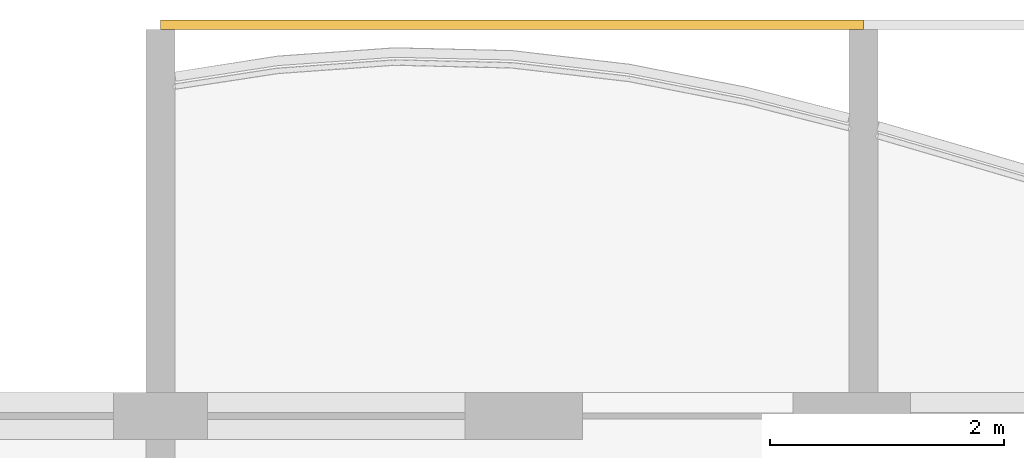
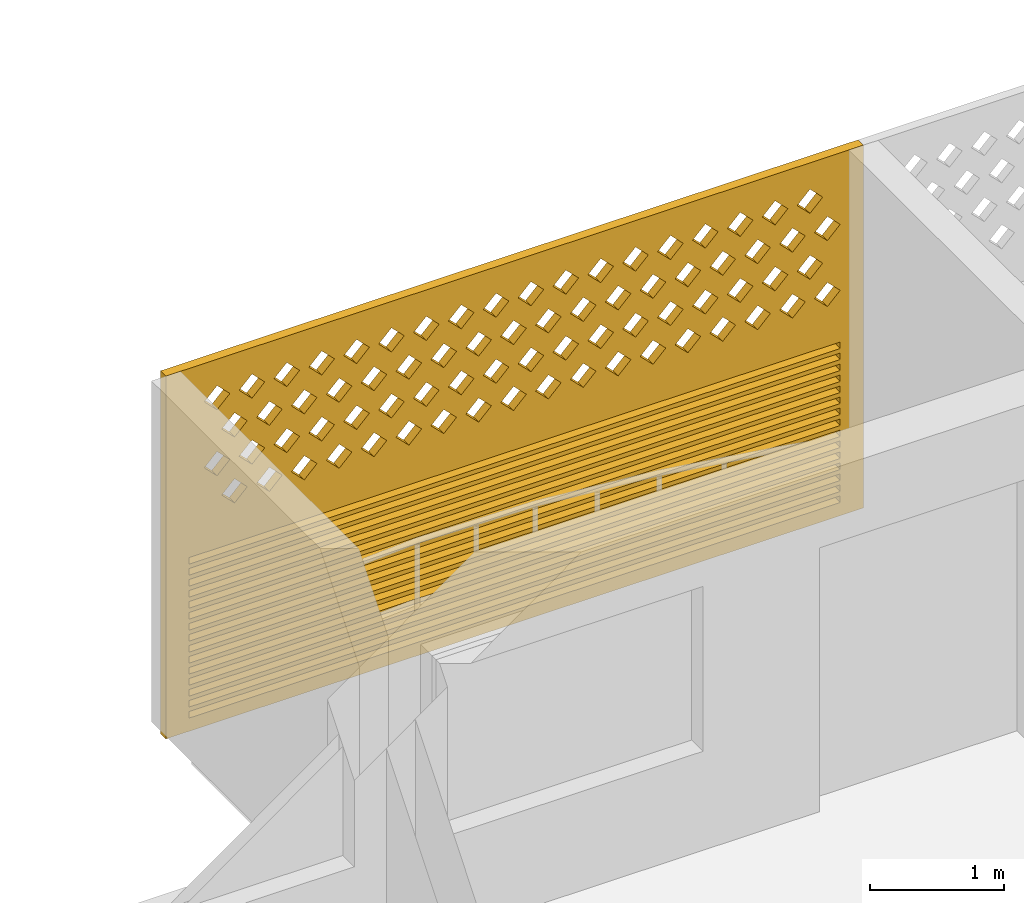
# One storey, part 25 of 27: 1 covering.
"""IFC4 building model written with IfcOpenShell, lengths in metres."""

from ifc_helpers import new_model, si_unit, direction, frame, origin, place, context, subcontext, project, spatial, polyline, outline, extrude, source, transform, mapped, material, material_profile, profile_set, type_object, element, save


model = new_model("IFC4")

# Units and contexts
model_context = context("Model", 3, precision=1e-05, world=origin(), true_north=direction((0.0, 1.0)))
body_context = subcontext(model_context, "Body", "Model", "MODEL_VIEW")
ifc_project = project(units=[si_unit("LENGTHUNIT", "METRE"), si_unit("AREAUNIT", "SQUARE_METRE"), si_unit("VOLUMEUNIT", "CUBIC_METRE"), si_unit("PLANEANGLEUNIT", "RADIAN"), si_unit("MASSUNIT", "GRAM", prefix="KILO")], contexts=[model_context])

# Site, building, storey
site_placement = place(None, origin())
site = spatial("IfcSite", under=ifc_project, at=site_placement, CompositionType="ELEMENT")
building_placement = place(site_placement, origin())
building = spatial("IfcBuilding", under=site, at=building_placement, Name="Poui Terraces", CompositionType="ELEMENT")
storey_placement = place(building_placement, frame((0.0, 0.0, 251.10009765625)))
storey = spatial("IfcBuildingStorey", under=building, at=storey_placement, Name="L70", CompositionType="ELEMENT", Elevation=251.10009765625)

# Covering
ifc_material = material(Name="Terracotta screen", Category="masonry")
ifc_material_profile = material_profile(ifc_material, outline(polyline([(-3.0, -1.64990234375), (3.0, -1.64990234375), (3.0, 1.64990234375), (-3.0, 1.64990234375), (-3.0, -1.64990234375)]), holes=[polyline([(-2.800048828125, 0.39990234375), (-2.68994140625, 0.2900390625), (-2.580078125, 0.39990234375), (-2.68994140625, 0.510009765625), (-2.800048828125, 0.39990234375)]), polyline([(-2.5, 0.39990234375), (-2.389892578125, 0.2900390625), (-2.280029296875, 0.39990234375), (-2.389892578125, 0.510009765625), (-2.5, 0.39990234375)]), polyline([(-2.199951171875, 0.39990234375), (-2.090087890625, 0.2900390625), (-1.97998046875, 0.39990234375), (-2.090087890625, 0.510009765625), (-2.199951171875, 0.39990234375)]), polyline([(-1.89990234375, 0.39990234375), (-1.7900390625, 0.2900390625), (-1.679931640625, 0.39990234375), (-1.7900390625, 0.510009765625), (-1.89990234375, 0.39990234375)]), polyline([(-1.60009765625, 0.39990234375), (-1.489990234375, 0.2900390625), (-1.3798828125, 0.39990234375), (-1.489990234375, 0.510009765625), (-1.60009765625, 0.39990234375)]), polyline([(-1.300048828125, 0.39990234375), (-1.18994140625, 0.2900390625), (-1.080078125, 0.39990234375), (-1.18994140625, 0.510009765625), (-1.300048828125, 0.39990234375)]), polyline([(-1.0, 0.39990234375), (-0.889892578125, 0.2900390625), (-0.780029296875, 0.39990234375), (-0.889892578125, 0.510009765625), (-1.0, 0.39990234375)]), polyline([(-0.699951171875, 0.39990234375), (-0.590087890625, 0.2900390625), (-0.47998046875, 0.39990234375), (-0.590087890625, 0.510009765625), (-0.699951171875, 0.39990234375)]), polyline([(-0.39990234375, 0.39990234375), (-0.2900390625, 0.2900390625), (-0.179931640625, 0.39990234375), (-0.2900390625, 0.510009765625), (-0.39990234375, 0.39990234375)]), polyline([(-0.10009765625, 0.39990234375), (0.010009765625, 0.2900390625), (0.1201171875, 0.39990234375), (0.010009765625, 0.510009765625), (-0.10009765625, 0.39990234375)]), polyline([(0.199951171875, 0.39990234375), (0.31005859375, 0.2900390625), (0.419921875, 0.39990234375), (0.31005859375, 0.510009765625), (0.199951171875, 0.39990234375)]), polyline([(0.5, 0.39990234375), (0.610107421875, 0.2900390625), (0.719970703125, 0.39990234375), (0.610107421875, 0.510009765625), (0.5, 0.39990234375)]), polyline([(0.800048828125, 0.39990234375), (0.909912109375, 0.2900390625), (1.02001953125, 0.39990234375), (0.909912109375, 0.510009765625), (0.800048828125, 0.39990234375)]), polyline([(1.10009765625, 0.39990234375), (1.2099609375, 0.2900390625), (1.320068359375, 0.39990234375), (1.2099609375, 0.510009765625), (1.10009765625, 0.39990234375)]), polyline([(1.39990234375, 0.39990234375), (1.510009765625, 0.2900390625), (1.6201171875, 0.39990234375), (1.510009765625, 0.510009765625), (1.39990234375, 0.39990234375)]), polyline([(1.699951171875, 0.39990234375), (1.81005859375, 0.2900390625), (1.919921875, 0.39990234375), (1.81005859375, 0.510009765625), (1.699951171875, 0.39990234375)]), polyline([(2.0, 0.39990234375), (2.110107421875, 0.2900390625), (2.219970703125, 0.39990234375), (2.110107421875, 0.510009765625), (2.0, 0.39990234375)]), polyline([(2.300048828125, 0.39990234375), (2.409912109375, 0.2900390625), (2.52001953125, 0.39990234375), (2.409912109375, 0.510009765625), (2.300048828125, 0.39990234375)]), polyline([(-2.64990234375, 0.699951171875), (-2.5400390625, 0.590087890625), (-2.429931640625, 0.699951171875), (-2.5400390625, 0.81005859375), (-2.64990234375, 0.699951171875)]), polyline([(-2.35009765625, 0.699951171875), (-2.239990234375, 0.590087890625), (-2.1298828125, 0.699951171875), (-2.239990234375, 0.81005859375), (-2.35009765625, 0.699951171875)]), polyline([(-2.050048828125, 0.699951171875), (-1.93994140625, 0.590087890625), (-1.830078125, 0.699951171875), (-1.93994140625, 0.81005859375), (-2.050048828125, 0.699951171875)]), polyline([(-1.75, 0.699951171875), (-1.639892578125, 0.590087890625), (-1.530029296875, 0.699951171875), (-1.639892578125, 0.81005859375), (-1.75, 0.699951171875)]), polyline([(-1.449951171875, 0.699951171875), (-1.340087890625, 0.590087890625), (-1.22998046875, 0.699951171875), (-1.340087890625, 0.81005859375), (-1.449951171875, 0.699951171875)]), polyline([(-1.14990234375, 0.699951171875), (-1.0400390625, 0.590087890625), (-0.929931640625, 0.699951171875), (-1.0400390625, 0.81005859375), (-1.14990234375, 0.699951171875)]), polyline([(-0.85009765625, 0.699951171875), (-0.739990234375, 0.590087890625), (-0.6298828125, 0.699951171875), (-0.739990234375, 0.81005859375), (-0.85009765625, 0.699951171875)]), polyline([(-0.550048828125, 0.699951171875), (-0.43994140625, 0.590087890625), (-0.330078125, 0.699951171875), (-0.43994140625, 0.81005859375), (-0.550048828125, 0.699951171875)]), polyline([(-0.25, 0.699951171875), (-0.139892578125, 0.590087890625), (-0.030029296875, 0.699951171875), (-0.139892578125, 0.81005859375), (-0.25, 0.699951171875)]), polyline([(0.050048828125, 0.699951171875), (0.159912109375, 0.590087890625), (0.27001953125, 0.699951171875), (0.159912109375, 0.81005859375), (0.050048828125, 0.699951171875)]), polyline([(0.35009765625, 0.699951171875), (0.4599609375, 0.590087890625), (0.570068359375, 0.699951171875), (0.4599609375, 0.81005859375), (0.35009765625, 0.699951171875)]), polyline([(0.64990234375, 0.699951171875), (0.760009765625, 0.590087890625), (0.8701171875, 0.699951171875), (0.760009765625, 0.81005859375), (0.64990234375, 0.699951171875)]), polyline([(0.949951171875, 0.699951171875), (1.06005859375, 0.590087890625), (1.169921875, 0.699951171875), (1.06005859375, 0.81005859375), (0.949951171875, 0.699951171875)]), polyline([(1.25, 0.699951171875), (1.360107421875, 0.590087890625), (1.469970703125, 0.699951171875), (1.360107421875, 0.81005859375), (1.25, 0.699951171875)]), polyline([(1.550048828125, 0.699951171875), (1.659912109375, 0.590087890625), (1.77001953125, 0.699951171875), (1.659912109375, 0.81005859375), (1.550048828125, 0.699951171875)]), polyline([(1.85009765625, 0.699951171875), (1.9599609375, 0.590087890625), (2.070068359375, 0.699951171875), (1.9599609375, 0.81005859375), (1.85009765625, 0.699951171875)]), polyline([(2.14990234375, 0.699951171875), (2.260009765625, 0.590087890625), (2.3701171875, 0.699951171875), (2.260009765625, 0.81005859375), (2.14990234375, 0.699951171875)]), polyline([(2.449951171875, 0.699951171875), (2.56005859375, 0.590087890625), (2.669921875, 0.699951171875), (2.56005859375, 0.81005859375), (2.449951171875, 0.699951171875)]), polyline([(-2.800048828125, 1.0), (-2.68994140625, 0.889892578125), (-2.580078125, 1.0), (-2.68994140625, 1.110107421875), (-2.800048828125, 1.0)]), polyline([(-2.5, 1.0), (-2.389892578125, 0.889892578125), (-2.280029296875, 1.0), (-2.389892578125, 1.110107421875), (-2.5, 1.0)]), polyline([(-2.199951171875, 1.0), (-2.090087890625, 0.889892578125), (-1.97998046875, 1.0), (-2.090087890625, 1.110107421875), (-2.199951171875, 1.0)]), polyline([(-1.89990234375, 1.0), (-1.7900390625, 0.889892578125), (-1.679931640625, 1.0), (-1.7900390625, 1.110107421875), (-1.89990234375, 1.0)]), polyline([(-1.60009765625, 1.0), (-1.489990234375, 0.889892578125), (-1.3798828125, 1.0), (-1.489990234375, 1.110107421875), (-1.60009765625, 1.0)]), polyline([(-1.300048828125, 1.0), (-1.18994140625, 0.889892578125), (-1.080078125, 1.0), (-1.18994140625, 1.110107421875), (-1.300048828125, 1.0)]), polyline([(-1.0, 1.0), (-0.889892578125, 0.889892578125), (-0.780029296875, 1.0), (-0.889892578125, 1.110107421875), (-1.0, 1.0)]), polyline([(-0.699951171875, 1.0), (-0.590087890625, 0.889892578125), (-0.47998046875, 1.0), (-0.590087890625, 1.110107421875), (-0.699951171875, 1.0)]), polyline([(-0.39990234375, 1.0), (-0.2900390625, 0.889892578125), (-0.179931640625, 1.0), (-0.2900390625, 1.110107421875), (-0.39990234375, 1.0)]), polyline([(-0.10009765625, 1.0), (0.010009765625, 0.889892578125), (0.1201171875, 1.0), (0.010009765625, 1.110107421875), (-0.10009765625, 1.0)]), polyline([(0.199951171875, 1.0), (0.31005859375, 0.889892578125), (0.419921875, 1.0), (0.31005859375, 1.110107421875), (0.199951171875, 1.0)]), polyline([(0.5, 1.0), (0.610107421875, 0.889892578125), (0.719970703125, 1.0), (0.610107421875, 1.110107421875), (0.5, 1.0)]), polyline([(0.800048828125, 1.0), (0.909912109375, 0.889892578125), (1.02001953125, 1.0), (0.909912109375, 1.110107421875), (0.800048828125, 1.0)]), polyline([(1.10009765625, 1.0), (1.2099609375, 0.889892578125), (1.320068359375, 1.0), (1.2099609375, 1.110107421875), (1.10009765625, 1.0)]), polyline([(1.39990234375, 1.0), (1.510009765625, 0.889892578125), (1.6201171875, 1.0), (1.510009765625, 1.110107421875), (1.39990234375, 1.0)]), polyline([(1.699951171875, 1.0), (1.81005859375, 0.889892578125), (1.919921875, 1.0), (1.81005859375, 1.110107421875), (1.699951171875, 1.0)]), polyline([(2.0, 1.0), (2.110107421875, 0.889892578125), (2.219970703125, 1.0), (2.110107421875, 1.110107421875), (2.0, 1.0)]), polyline([(2.300048828125, 1.0), (2.409912109375, 0.889892578125), (2.52001953125, 1.0), (2.409912109375, 1.110107421875), (2.300048828125, 1.0)]), polyline([(-2.64990234375, 1.300048828125), (-2.5400390625, 1.18994140625), (-2.429931640625, 1.300048828125), (-2.5400390625, 1.409912109375), (-2.64990234375, 1.300048828125)]), polyline([(-2.35009765625, 1.300048828125), (-2.239990234375, 1.18994140625), (-2.1298828125, 1.300048828125), (-2.239990234375, 1.409912109375), (-2.35009765625, 1.300048828125)]), polyline([(-2.050048828125, 1.300048828125), (-1.93994140625, 1.18994140625), (-1.830078125, 1.300048828125), (-1.93994140625, 1.409912109375), (-2.050048828125, 1.300048828125)]), polyline([(-1.75, 1.300048828125), (-1.639892578125, 1.18994140625), (-1.530029296875, 1.300048828125), (-1.639892578125, 1.409912109375), (-1.75, 1.300048828125)]), polyline([(-1.449951171875, 1.300048828125), (-1.340087890625, 1.18994140625), (-1.22998046875, 1.300048828125), (-1.340087890625, 1.409912109375), (-1.449951171875, 1.300048828125)]), polyline([(-1.14990234375, 1.300048828125), (-1.0400390625, 1.18994140625), (-0.929931640625, 1.300048828125), (-1.0400390625, 1.409912109375), (-1.14990234375, 1.300048828125)]), polyline([(-0.85009765625, 1.300048828125), (-0.739990234375, 1.18994140625), (-0.6298828125, 1.300048828125), (-0.739990234375, 1.409912109375), (-0.85009765625, 1.300048828125)]), polyline([(-0.550048828125, 1.300048828125), (-0.43994140625, 1.18994140625), (-0.330078125, 1.300048828125), (-0.43994140625, 1.409912109375), (-0.550048828125, 1.300048828125)]), polyline([(-0.25, 1.300048828125), (-0.139892578125, 1.18994140625), (-0.030029296875, 1.300048828125), (-0.139892578125, 1.409912109375), (-0.25, 1.300048828125)]), polyline([(0.050048828125, 1.300048828125), (0.159912109375, 1.18994140625), (0.27001953125, 1.300048828125), (0.159912109375, 1.409912109375), (0.050048828125, 1.300048828125)]), polyline([(0.35009765625, 1.300048828125), (0.4599609375, 1.18994140625), (0.570068359375, 1.300048828125), (0.4599609375, 1.409912109375), (0.35009765625, 1.300048828125)]), polyline([(0.64990234375, 1.300048828125), (0.760009765625, 1.18994140625), (0.8701171875, 1.300048828125), (0.760009765625, 1.409912109375), (0.64990234375, 1.300048828125)]), polyline([(0.949951171875, 1.300048828125), (1.06005859375, 1.18994140625), (1.169921875, 1.300048828125), (1.06005859375, 1.409912109375), (0.949951171875, 1.300048828125)]), polyline([(1.25, 1.300048828125), (1.360107421875, 1.18994140625), (1.469970703125, 1.300048828125), (1.360107421875, 1.409912109375), (1.25, 1.300048828125)]), polyline([(1.550048828125, 1.300048828125), (1.659912109375, 1.18994140625), (1.77001953125, 1.300048828125), (1.659912109375, 1.409912109375), (1.550048828125, 1.300048828125)]), polyline([(1.85009765625, 1.300048828125), (1.9599609375, 1.18994140625), (2.070068359375, 1.300048828125), (1.9599609375, 1.409912109375), (1.85009765625, 1.300048828125)]), polyline([(2.14990234375, 1.300048828125), (2.260009765625, 1.18994140625), (2.3701171875, 1.300048828125), (2.260009765625, 1.409912109375), (2.14990234375, 1.300048828125)]), polyline([(2.449951171875, 1.300048828125), (2.56005859375, 1.18994140625), (2.669921875, 1.300048828125), (2.56005859375, 1.409912109375), (2.449951171875, 1.300048828125)]), polyline([(-2.800048828125, -1.530029296875), (2.800048828125, -1.530029296875), (2.800048828125, -1.469970703125), (-2.800048828125, -1.469970703125), (-2.800048828125, -1.530029296875)]), polyline([(-2.800048828125, -1.429931640625), (2.800048828125, -1.429931640625), (2.800048828125, -1.3701171875), (-2.800048828125, -1.3701171875), (-2.800048828125, -1.429931640625)]), polyline([(-2.800048828125, -1.330078125), (2.800048828125, -1.330078125), (2.800048828125, -1.27001953125), (-2.800048828125, -1.27001953125), (-2.800048828125, -1.330078125)]), polyline([(-2.800048828125, -1.22998046875), (2.800048828125, -1.22998046875), (2.800048828125, -1.169921875), (-2.800048828125, -1.169921875), (-2.800048828125, -1.22998046875)]), polyline([(-2.800048828125, -1.1298828125), (2.800048828125, -1.1298828125), (2.800048828125, -1.070068359375), (-2.800048828125, -1.070068359375), (-2.800048828125, -1.1298828125)]), polyline([(-2.800048828125, -1.030029296875), (2.800048828125, -1.030029296875), (2.800048828125, -0.969970703125), (-2.800048828125, -0.969970703125), (-2.800048828125, -1.030029296875)]), polyline([(-2.800048828125, -0.929931640625), (2.800048828125, -0.929931640625), (2.800048828125, -0.8701171875), (-2.800048828125, -0.8701171875), (-2.800048828125, -0.929931640625)]), polyline([(-2.800048828125, -0.830078125), (2.800048828125, -0.830078125), (2.800048828125, -0.77001953125), (-2.800048828125, -0.77001953125), (-2.800048828125, -0.830078125)]), polyline([(-2.800048828125, -0.72998046875), (2.800048828125, -0.72998046875), (2.800048828125, -0.669921875), (-2.800048828125, -0.669921875), (-2.800048828125, -0.72998046875)]), polyline([(-2.800048828125, -0.6298828125), (2.800048828125, -0.6298828125), (2.800048828125, -0.570068359375), (-2.800048828125, -0.570068359375), (-2.800048828125, -0.6298828125)]), polyline([(-2.800048828125, -0.530029296875), (2.800048828125, -0.530029296875), (2.800048828125, -0.469970703125), (-2.800048828125, -0.469970703125), (-2.800048828125, -0.530029296875)]), polyline([(-2.800048828125, -0.429931640625), (2.800048828125, -0.429931640625), (2.800048828125, -0.3701171875), (-2.800048828125, -0.3701171875), (-2.800048828125, -0.429931640625)]), polyline([(-2.800048828125, -0.330078125), (2.800048828125, -0.330078125), (2.800048828125, -0.27001953125), (-2.800048828125, -0.27001953125), (-2.800048828125, -0.330078125)]), polyline([(-2.800048828125, -0.22998046875), (2.800048828125, -0.22998046875), (2.800048828125, -0.169921875), (-2.800048828125, -0.169921875), (-2.800048828125, -0.22998046875)]), polyline([(-2.800048828125, -0.1298828125), (2.800048828125, -0.1298828125), (2.800048828125, -0.070068359375), (-2.800048828125, -0.070068359375), (-2.800048828125, -0.1298828125)])]), Name="TERRACOTTA SCREEN AND JALOUSIE LOUVRE 6000X3300")
ifc_profile_set = profile_set([ifc_material_profile], Name="Terracotta screen")
covering_type = type_object("IfcCoveringType", Name="TERRACOTTA SCREEN AND JALOUSIE LOUVRE 6000X3300", PredefinedType="CLADDING", material=ifc_profile_set)
shared_shape = source(origin(), body_context, "Body", "SweptSolid", [
    extrude(outline(polyline([(-3.0, -1.64990234375), (3.0, -1.64990234375), (3.0, 1.64990234375), (-3.0, 1.64990234375), (-3.0, -1.64990234375)]), holes=[polyline([(-2.800048828125, 0.39990234375), (-2.68994140625, 0.2900390625), (-2.580078125, 0.39990234375), (-2.68994140625, 0.510009765625), (-2.800048828125, 0.39990234375)]), polyline([(-2.5, 0.39990234375), (-2.389892578125, 0.2900390625), (-2.280029296875, 0.39990234375), (-2.389892578125, 0.510009765625), (-2.5, 0.39990234375)]), polyline([(-2.199951171875, 0.39990234375), (-2.090087890625, 0.2900390625), (-1.97998046875, 0.39990234375), (-2.090087890625, 0.510009765625), (-2.199951171875, 0.39990234375)]), polyline([(-1.89990234375, 0.39990234375), (-1.7900390625, 0.2900390625), (-1.679931640625, 0.39990234375), (-1.7900390625, 0.510009765625), (-1.89990234375, 0.39990234375)]), polyline([(-1.60009765625, 0.39990234375), (-1.489990234375, 0.2900390625), (-1.3798828125, 0.39990234375), (-1.489990234375, 0.510009765625), (-1.60009765625, 0.39990234375)]), polyline([(-1.300048828125, 0.39990234375), (-1.18994140625, 0.2900390625), (-1.080078125, 0.39990234375), (-1.18994140625, 0.510009765625), (-1.300048828125, 0.39990234375)]), polyline([(-1.0, 0.39990234375), (-0.889892578125, 0.2900390625), (-0.780029296875, 0.39990234375), (-0.889892578125, 0.510009765625), (-1.0, 0.39990234375)]), polyline([(-0.699951171875, 0.39990234375), (-0.590087890625, 0.2900390625), (-0.47998046875, 0.39990234375), (-0.590087890625, 0.510009765625), (-0.699951171875, 0.39990234375)]), polyline([(-0.39990234375, 0.39990234375), (-0.2900390625, 0.2900390625), (-0.179931640625, 0.39990234375), (-0.2900390625, 0.510009765625), (-0.39990234375, 0.39990234375)]), polyline([(-0.10009765625, 0.39990234375), (0.010009765625, 0.2900390625), (0.1201171875, 0.39990234375), (0.010009765625, 0.510009765625), (-0.10009765625, 0.39990234375)]), polyline([(0.199951171875, 0.39990234375), (0.31005859375, 0.2900390625), (0.419921875, 0.39990234375), (0.31005859375, 0.510009765625), (0.199951171875, 0.39990234375)]), polyline([(0.5, 0.39990234375), (0.610107421875, 0.2900390625), (0.719970703125, 0.39990234375), (0.610107421875, 0.510009765625), (0.5, 0.39990234375)]), polyline([(0.800048828125, 0.39990234375), (0.909912109375, 0.2900390625), (1.02001953125, 0.39990234375), (0.909912109375, 0.510009765625), (0.800048828125, 0.39990234375)]), polyline([(1.10009765625, 0.39990234375), (1.2099609375, 0.2900390625), (1.320068359375, 0.39990234375), (1.2099609375, 0.510009765625), (1.10009765625, 0.39990234375)]), polyline([(1.39990234375, 0.39990234375), (1.510009765625, 0.2900390625), (1.6201171875, 0.39990234375), (1.510009765625, 0.510009765625), (1.39990234375, 0.39990234375)]), polyline([(1.699951171875, 0.39990234375), (1.81005859375, 0.2900390625), (1.919921875, 0.39990234375), (1.81005859375, 0.510009765625), (1.699951171875, 0.39990234375)]), polyline([(2.0, 0.39990234375), (2.110107421875, 0.2900390625), (2.219970703125, 0.39990234375), (2.110107421875, 0.510009765625), (2.0, 0.39990234375)]), polyline([(2.300048828125, 0.39990234375), (2.409912109375, 0.2900390625), (2.52001953125, 0.39990234375), (2.409912109375, 0.510009765625), (2.300048828125, 0.39990234375)]), polyline([(-2.64990234375, 0.699951171875), (-2.5400390625, 0.590087890625), (-2.429931640625, 0.699951171875), (-2.5400390625, 0.81005859375), (-2.64990234375, 0.699951171875)]), polyline([(-2.35009765625, 0.699951171875), (-2.239990234375, 0.590087890625), (-2.1298828125, 0.699951171875), (-2.239990234375, 0.81005859375), (-2.35009765625, 0.699951171875)]), polyline([(-2.050048828125, 0.699951171875), (-1.93994140625, 0.590087890625), (-1.830078125, 0.699951171875), (-1.93994140625, 0.81005859375), (-2.050048828125, 0.699951171875)]), polyline([(-1.75, 0.699951171875), (-1.639892578125, 0.590087890625), (-1.530029296875, 0.699951171875), (-1.639892578125, 0.81005859375), (-1.75, 0.699951171875)]), polyline([(-1.449951171875, 0.699951171875), (-1.340087890625, 0.590087890625), (-1.22998046875, 0.699951171875), (-1.340087890625, 0.81005859375), (-1.449951171875, 0.699951171875)]), polyline([(-1.14990234375, 0.699951171875), (-1.0400390625, 0.590087890625), (-0.929931640625, 0.699951171875), (-1.0400390625, 0.81005859375), (-1.14990234375, 0.699951171875)]), polyline([(-0.85009765625, 0.699951171875), (-0.739990234375, 0.590087890625), (-0.6298828125, 0.699951171875), (-0.739990234375, 0.81005859375), (-0.85009765625, 0.699951171875)]), polyline([(-0.550048828125, 0.699951171875), (-0.43994140625, 0.590087890625), (-0.330078125, 0.699951171875), (-0.43994140625, 0.81005859375), (-0.550048828125, 0.699951171875)]), polyline([(-0.25, 0.699951171875), (-0.139892578125, 0.590087890625), (-0.030029296875, 0.699951171875), (-0.139892578125, 0.81005859375), (-0.25, 0.699951171875)]), polyline([(0.050048828125, 0.699951171875), (0.159912109375, 0.590087890625), (0.27001953125, 0.699951171875), (0.159912109375, 0.81005859375), (0.050048828125, 0.699951171875)]), polyline([(0.35009765625, 0.699951171875), (0.4599609375, 0.590087890625), (0.570068359375, 0.699951171875), (0.4599609375, 0.81005859375), (0.35009765625, 0.699951171875)]), polyline([(0.64990234375, 0.699951171875), (0.760009765625, 0.590087890625), (0.8701171875, 0.699951171875), (0.760009765625, 0.81005859375), (0.64990234375, 0.699951171875)]), polyline([(0.949951171875, 0.699951171875), (1.06005859375, 0.590087890625), (1.169921875, 0.699951171875), (1.06005859375, 0.81005859375), (0.949951171875, 0.699951171875)]), polyline([(1.25, 0.699951171875), (1.360107421875, 0.590087890625), (1.469970703125, 0.699951171875), (1.360107421875, 0.81005859375), (1.25, 0.699951171875)]), polyline([(1.550048828125, 0.699951171875), (1.659912109375, 0.590087890625), (1.77001953125, 0.699951171875), (1.659912109375, 0.81005859375), (1.550048828125, 0.699951171875)]), polyline([(1.85009765625, 0.699951171875), (1.9599609375, 0.590087890625), (2.070068359375, 0.699951171875), (1.9599609375, 0.81005859375), (1.85009765625, 0.699951171875)]), polyline([(2.14990234375, 0.699951171875), (2.260009765625, 0.590087890625), (2.3701171875, 0.699951171875), (2.260009765625, 0.81005859375), (2.14990234375, 0.699951171875)]), polyline([(2.449951171875, 0.699951171875), (2.56005859375, 0.590087890625), (2.669921875, 0.699951171875), (2.56005859375, 0.81005859375), (2.449951171875, 0.699951171875)]), polyline([(-2.800048828125, 1.0), (-2.68994140625, 0.889892578125), (-2.580078125, 1.0), (-2.68994140625, 1.110107421875), (-2.800048828125, 1.0)]), polyline([(-2.5, 1.0), (-2.389892578125, 0.889892578125), (-2.280029296875, 1.0), (-2.389892578125, 1.110107421875), (-2.5, 1.0)]), polyline([(-2.199951171875, 1.0), (-2.090087890625, 0.889892578125), (-1.97998046875, 1.0), (-2.090087890625, 1.110107421875), (-2.199951171875, 1.0)]), polyline([(-1.89990234375, 1.0), (-1.7900390625, 0.889892578125), (-1.679931640625, 1.0), (-1.7900390625, 1.110107421875), (-1.89990234375, 1.0)]), polyline([(-1.60009765625, 1.0), (-1.489990234375, 0.889892578125), (-1.3798828125, 1.0), (-1.489990234375, 1.110107421875), (-1.60009765625, 1.0)]), polyline([(-1.300048828125, 1.0), (-1.18994140625, 0.889892578125), (-1.080078125, 1.0), (-1.18994140625, 1.110107421875), (-1.300048828125, 1.0)]), polyline([(-1.0, 1.0), (-0.889892578125, 0.889892578125), (-0.780029296875, 1.0), (-0.889892578125, 1.110107421875), (-1.0, 1.0)]), polyline([(-0.699951171875, 1.0), (-0.590087890625, 0.889892578125), (-0.47998046875, 1.0), (-0.590087890625, 1.110107421875), (-0.699951171875, 1.0)]), polyline([(-0.39990234375, 1.0), (-0.2900390625, 0.889892578125), (-0.179931640625, 1.0), (-0.2900390625, 1.110107421875), (-0.39990234375, 1.0)]), polyline([(-0.10009765625, 1.0), (0.010009765625, 0.889892578125), (0.1201171875, 1.0), (0.010009765625, 1.110107421875), (-0.10009765625, 1.0)]), polyline([(0.199951171875, 1.0), (0.31005859375, 0.889892578125), (0.419921875, 1.0), (0.31005859375, 1.110107421875), (0.199951171875, 1.0)]), polyline([(0.5, 1.0), (0.610107421875, 0.889892578125), (0.719970703125, 1.0), (0.610107421875, 1.110107421875), (0.5, 1.0)]), polyline([(0.800048828125, 1.0), (0.909912109375, 0.889892578125), (1.02001953125, 1.0), (0.909912109375, 1.110107421875), (0.800048828125, 1.0)]), polyline([(1.10009765625, 1.0), (1.2099609375, 0.889892578125), (1.320068359375, 1.0), (1.2099609375, 1.110107421875), (1.10009765625, 1.0)]), polyline([(1.39990234375, 1.0), (1.510009765625, 0.889892578125), (1.6201171875, 1.0), (1.510009765625, 1.110107421875), (1.39990234375, 1.0)]), polyline([(1.699951171875, 1.0), (1.81005859375, 0.889892578125), (1.919921875, 1.0), (1.81005859375, 1.110107421875), (1.699951171875, 1.0)]), polyline([(2.0, 1.0), (2.110107421875, 0.889892578125), (2.219970703125, 1.0), (2.110107421875, 1.110107421875), (2.0, 1.0)]), polyline([(2.300048828125, 1.0), (2.409912109375, 0.889892578125), (2.52001953125, 1.0), (2.409912109375, 1.110107421875), (2.300048828125, 1.0)]), polyline([(-2.64990234375, 1.300048828125), (-2.5400390625, 1.18994140625), (-2.429931640625, 1.300048828125), (-2.5400390625, 1.409912109375), (-2.64990234375, 1.300048828125)]), polyline([(-2.35009765625, 1.300048828125), (-2.239990234375, 1.18994140625), (-2.1298828125, 1.300048828125), (-2.239990234375, 1.409912109375), (-2.35009765625, 1.300048828125)]), polyline([(-2.050048828125, 1.300048828125), (-1.93994140625, 1.18994140625), (-1.830078125, 1.300048828125), (-1.93994140625, 1.409912109375), (-2.050048828125, 1.300048828125)]), polyline([(-1.75, 1.300048828125), (-1.639892578125, 1.18994140625), (-1.530029296875, 1.300048828125), (-1.639892578125, 1.409912109375), (-1.75, 1.300048828125)]), polyline([(-1.449951171875, 1.300048828125), (-1.340087890625, 1.18994140625), (-1.22998046875, 1.300048828125), (-1.340087890625, 1.409912109375), (-1.449951171875, 1.300048828125)]), polyline([(-1.14990234375, 1.300048828125), (-1.0400390625, 1.18994140625), (-0.929931640625, 1.300048828125), (-1.0400390625, 1.409912109375), (-1.14990234375, 1.300048828125)]), polyline([(-0.85009765625, 1.300048828125), (-0.739990234375, 1.18994140625), (-0.6298828125, 1.300048828125), (-0.739990234375, 1.409912109375), (-0.85009765625, 1.300048828125)]), polyline([(-0.550048828125, 1.300048828125), (-0.43994140625, 1.18994140625), (-0.330078125, 1.300048828125), (-0.43994140625, 1.409912109375), (-0.550048828125, 1.300048828125)]), polyline([(-0.25, 1.300048828125), (-0.139892578125, 1.18994140625), (-0.030029296875, 1.300048828125), (-0.139892578125, 1.409912109375), (-0.25, 1.300048828125)]), polyline([(0.050048828125, 1.300048828125), (0.159912109375, 1.18994140625), (0.27001953125, 1.300048828125), (0.159912109375, 1.409912109375), (0.050048828125, 1.300048828125)]), polyline([(0.35009765625, 1.300048828125), (0.4599609375, 1.18994140625), (0.570068359375, 1.300048828125), (0.4599609375, 1.409912109375), (0.35009765625, 1.300048828125)]), polyline([(0.64990234375, 1.300048828125), (0.760009765625, 1.18994140625), (0.8701171875, 1.300048828125), (0.760009765625, 1.409912109375), (0.64990234375, 1.300048828125)]), polyline([(0.949951171875, 1.300048828125), (1.06005859375, 1.18994140625), (1.169921875, 1.300048828125), (1.06005859375, 1.409912109375), (0.949951171875, 1.300048828125)]), polyline([(1.25, 1.300048828125), (1.360107421875, 1.18994140625), (1.469970703125, 1.300048828125), (1.360107421875, 1.409912109375), (1.25, 1.300048828125)]), polyline([(1.550048828125, 1.300048828125), (1.659912109375, 1.18994140625), (1.77001953125, 1.300048828125), (1.659912109375, 1.409912109375), (1.550048828125, 1.300048828125)]), polyline([(1.85009765625, 1.300048828125), (1.9599609375, 1.18994140625), (2.070068359375, 1.300048828125), (1.9599609375, 1.409912109375), (1.85009765625, 1.300048828125)]), polyline([(2.14990234375, 1.300048828125), (2.260009765625, 1.18994140625), (2.3701171875, 1.300048828125), (2.260009765625, 1.409912109375), (2.14990234375, 1.300048828125)]), polyline([(2.449951171875, 1.300048828125), (2.56005859375, 1.18994140625), (2.669921875, 1.300048828125), (2.56005859375, 1.409912109375), (2.449951171875, 1.300048828125)]), polyline([(-2.800048828125, -1.530029296875), (2.800048828125, -1.530029296875), (2.800048828125, -1.469970703125), (-2.800048828125, -1.469970703125), (-2.800048828125, -1.530029296875)]), polyline([(-2.800048828125, -1.429931640625), (2.800048828125, -1.429931640625), (2.800048828125, -1.3701171875), (-2.800048828125, -1.3701171875), (-2.800048828125, -1.429931640625)]), polyline([(-2.800048828125, -1.330078125), (2.800048828125, -1.330078125), (2.800048828125, -1.27001953125), (-2.800048828125, -1.27001953125), (-2.800048828125, -1.330078125)]), polyline([(-2.800048828125, -1.22998046875), (2.800048828125, -1.22998046875), (2.800048828125, -1.169921875), (-2.800048828125, -1.169921875), (-2.800048828125, -1.22998046875)]), polyline([(-2.800048828125, -1.1298828125), (2.800048828125, -1.1298828125), (2.800048828125, -1.070068359375), (-2.800048828125, -1.070068359375), (-2.800048828125, -1.1298828125)]), polyline([(-2.800048828125, -1.030029296875), (2.800048828125, -1.030029296875), (2.800048828125, -0.969970703125), (-2.800048828125, -0.969970703125), (-2.800048828125, -1.030029296875)]), polyline([(-2.800048828125, -0.929931640625), (2.800048828125, -0.929931640625), (2.800048828125, -0.8701171875), (-2.800048828125, -0.8701171875), (-2.800048828125, -0.929931640625)]), polyline([(-2.800048828125, -0.830078125), (2.800048828125, -0.830078125), (2.800048828125, -0.77001953125), (-2.800048828125, -0.77001953125), (-2.800048828125, -0.830078125)]), polyline([(-2.800048828125, -0.72998046875), (2.800048828125, -0.72998046875), (2.800048828125, -0.669921875), (-2.800048828125, -0.669921875), (-2.800048828125, -0.72998046875)]), polyline([(-2.800048828125, -0.6298828125), (2.800048828125, -0.6298828125), (2.800048828125, -0.570068359375), (-2.800048828125, -0.570068359375), (-2.800048828125, -0.6298828125)]), polyline([(-2.800048828125, -0.530029296875), (2.800048828125, -0.530029296875), (2.800048828125, -0.469970703125), (-2.800048828125, -0.469970703125), (-2.800048828125, -0.530029296875)]), polyline([(-2.800048828125, -0.429931640625), (2.800048828125, -0.429931640625), (2.800048828125, -0.3701171875), (-2.800048828125, -0.3701171875), (-2.800048828125, -0.429931640625)]), polyline([(-2.800048828125, -0.330078125), (2.800048828125, -0.330078125), (2.800048828125, -0.27001953125), (-2.800048828125, -0.27001953125), (-2.800048828125, -0.330078125)]), polyline([(-2.800048828125, -0.22998046875), (2.800048828125, -0.22998046875), (2.800048828125, -0.169921875), (-2.800048828125, -0.169921875), (-2.800048828125, -0.22998046875)]), polyline([(-2.800048828125, -0.1298828125), (2.800048828125, -0.1298828125), (2.800048828125, -0.070068359375), (-2.800048828125, -0.070068359375), (-2.800048828125, -0.1298828125)])]), origin(), (0.0, 0.0, 1.0), 0.080078125),
])
covering_placement = place(storey_placement, frame((69.0, 44.5, 1.449951171875), z_axis=(0.0, 1.0, 0.0), x_axis=(-1.0, 0.0, 0.0)))
element("IfcCovering", 1, at=covering_placement, inside=storey, type_object=covering_type, Name="SOLAR SCREEN AND JALOUSIE LOUVRE", PredefinedType="CLADDING", context=body_context, shape_type="MappedRepresentation", body=[
    mapped(shared_shape, transform((0.0, 0.0, 0.0))),
])

save(model, "model.ifc")
